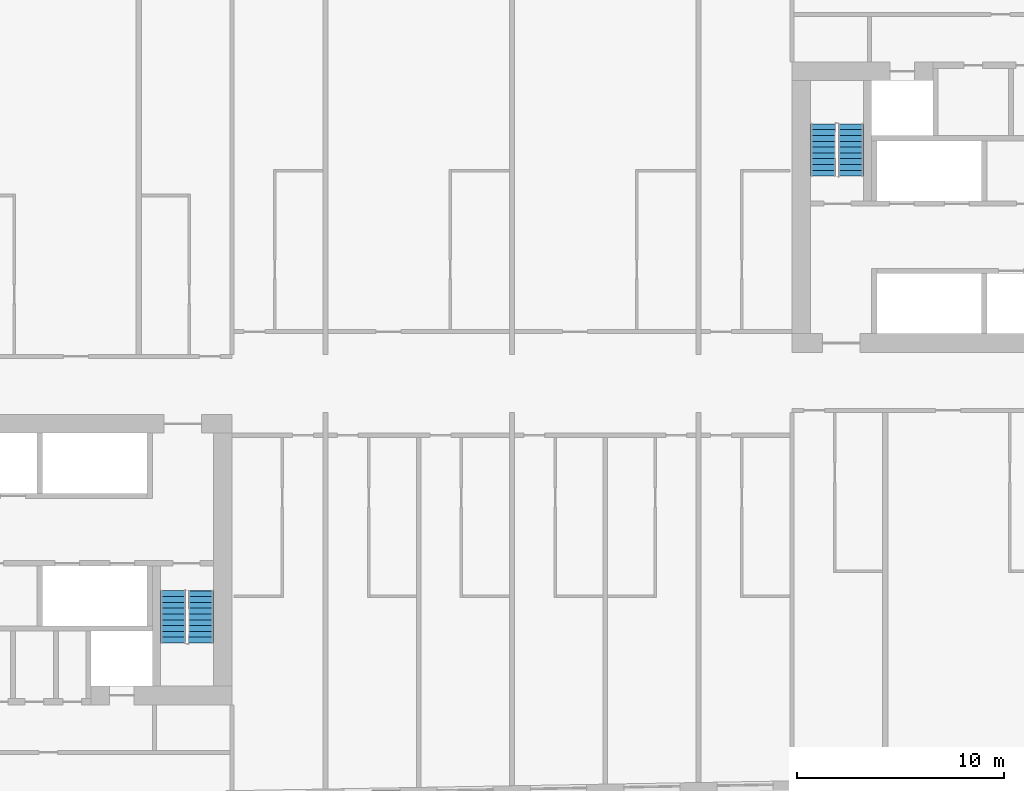
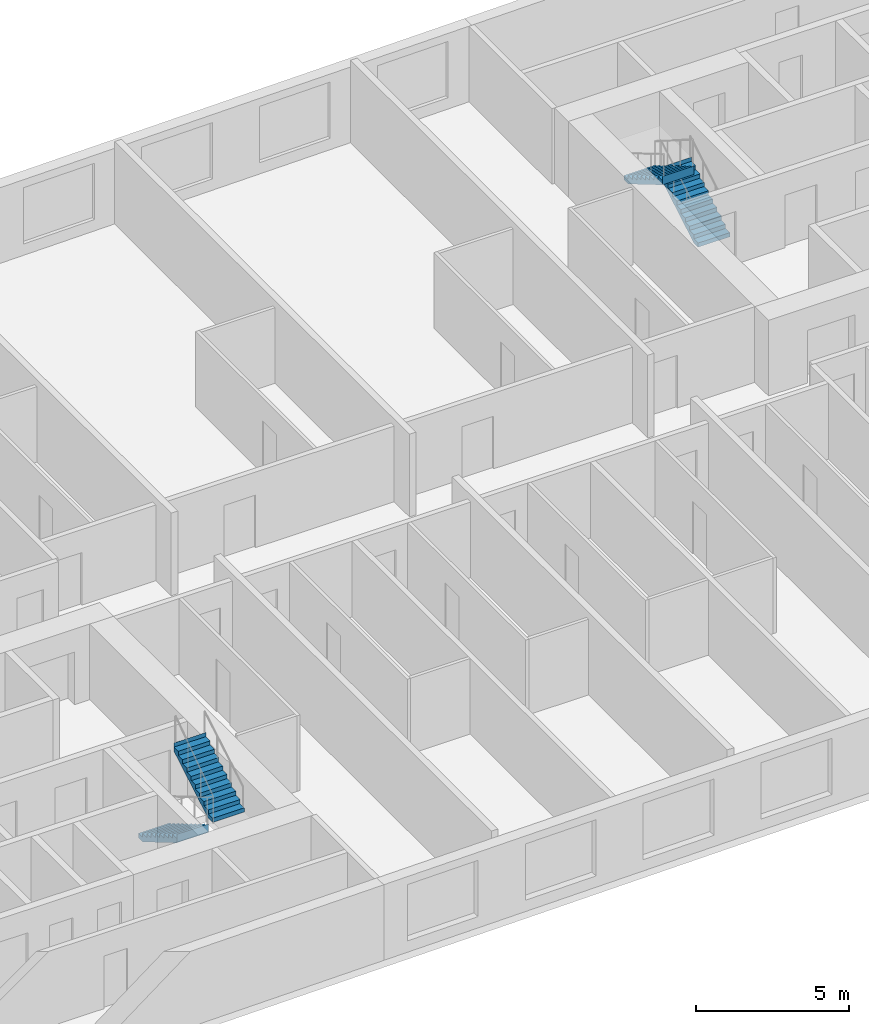
# One storey, part 9 of 11: 4 stair flights, 2 elements without a shape of their own.
"""IFC4 building model written with IfcOpenShell, lengths in metres."""

from ifc_helpers import new_model, si_unit, direction, frame, origin, place, context, subcontext, project, spatial, faceted_brep, material, type_object, element, aggregate, save


model = new_model("IFC4")

# Units and contexts
model_context = context("Model", 3, precision=1e-05, world=origin(), true_north=direction((0.0, 1.0)))
body_context = subcontext(model_context, "Body", "Model", "MODEL_VIEW")
ifc_project = project(units=[si_unit("LENGTHUNIT", "METRE"), si_unit("AREAUNIT", "SQUARE_METRE"), si_unit("VOLUMEUNIT", "CUBIC_METRE"), si_unit("PLANEANGLEUNIT", "RADIAN"), si_unit("MASSUNIT", "GRAM", prefix="KILO")], contexts=[model_context])

# Site, building, storey
site_placement = place(None, origin())
site = spatial("IfcSite", under=ifc_project, at=site_placement, CompositionType="ELEMENT")
building_placement = place(site_placement, origin())
building = spatial("IfcBuilding", under=site, at=building_placement, Name="Kajstack Hotel Tower", CompositionType="ELEMENT")
storey_placement = place(building_placement, frame((0.0, 0.0, 244.10009765625)))
storey = spatial("IfcBuildingStorey", under=building, at=storey_placement, Name="L60", CompositionType="ELEMENT", Elevation=244.10009765625)

# Stair, stair flights
ifc_material = material(Name="Concrete C40/50", Category="concrete")
stair_type = type_object("IfcStairType", Name="Exit stair 1200", PredefinedType="HALF_TURN_STAIR", material=ifc_material)
stair_1_placement = place(storey_placement, origin())
stair_1 = element("IfcStair", 1, at=stair_1_placement, inside=storey, type_object=stair_type, Name="L60 stair W2", PredefinedType="HALF_TURN_STAIR")
stair_flight_type = type_object("IfcStairFlightType", Name="Exit stair flight 1200", PredefinedType="STRAIGHT", material=ifc_material)
stair_flight_1_placement = place(storey_placement, frame((-16.35009765625, -10.0, 0.0), z_axis=(0.0, 0.0, 1.0), x_axis=(0.0, -1.0, 0.0)))
stair_flight_1 = element("IfcStairFlight", 2, at=stair_flight_1_placement, type_object=stair_flight_type, Name="W2 flight 1", NumberOfRisers=10, NumberOfTreads=9, PredefinedType="STRAIGHT", RiserHeight=0.165, TreadLength=0.28, context=body_context, shape_type="Brep", body=[
    faceted_brep([(0.295654296875, -0.60009765625, 0.0), (2.5205078125, -0.60009765625, 1.31103515625), (2.5205078125, -0.60009765625, 1.64990234375), (2.52001953125, -0.60009765625, 1.64990234375), (2.52001953125, -0.60009765625, 1.485107421875), (2.239990234375, -0.60009765625, 1.485107421875), (2.239990234375, -0.60009765625, 1.320068359375), (1.9599609375, -0.60009765625, 1.320068359375), (1.9599609375, -0.60009765625, 1.155029296875), (1.679931640625, -0.60009765625, 1.155029296875), (1.679931640625, -0.60009765625, 0.989990234375), (1.39990234375, -0.60009765625, 0.989990234375), (1.39990234375, -0.60009765625, 0.824951171875), (1.1201171875, -0.60009765625, 0.824951171875), (1.1201171875, -0.60009765625, 0.659912109375), (0.840087890625, -0.60009765625, 0.659912109375), (0.840087890625, -0.60009765625, 0.4951171875), (0.56005859375, -0.60009765625, 0.4951171875), (0.56005859375, -0.60009765625, 0.330078125), (0.280029296875, -0.60009765625, 0.330078125), (0.280029296875, -0.60009765625, 0.1650390625), (-0.00048828125, -0.60009765625, 0.1650390625), (-0.00048828125, -0.60009765625, 0.0), (-0.00048828125, 0.60009765625, 0.0), (-0.00048828125, 0.60009765625, 0.1650390625), (0.280029296875, 0.60009765625, 0.1650390625), (0.280029296875, 0.60009765625, 0.330078125), (0.56005859375, 0.60009765625, 0.330078125), (0.56005859375, 0.60009765625, 0.4951171875), (0.840087890625, 0.60009765625, 0.4951171875), (0.840087890625, 0.60009765625, 0.659912109375), (1.1201171875, 0.60009765625, 0.659912109375), (1.1201171875, 0.60009765625, 0.824951171875), (1.39990234375, 0.60009765625, 0.824951171875), (1.39990234375, 0.60009765625, 0.989990234375), (1.679931640625, 0.60009765625, 0.989990234375), (1.679931640625, 0.60009765625, 1.155029296875), (1.9599609375, 0.60009765625, 1.155029296875), (1.9599609375, 0.60009765625, 1.320068359375), (2.239990234375, 0.60009765625, 1.320068359375), (2.239990234375, 0.60009765625, 1.485107421875), (2.52001953125, 0.60009765625, 1.485107421875), (2.52001953125, 0.60009765625, 1.64990234375), (2.5205078125, 0.60009765625, 1.64990234375), (2.5205078125, 0.60009765625, 1.31103515625), (0.295654296875, 0.60009765625, 0.0), (-0.00048828125, -0.300048828125, 0.1650390625), (-0.00048828125, 0.0, 0.1650390625), (-0.00048828125, 0.300048828125, 0.1650390625), (-0.00048828125, 0.300048828125, 0.0), (-0.00048828125, 0.0, 0.0), (-0.00048828125, -0.300048828125, 0.0), (0.280029296875, -0.300048828125, 0.1650390625), (0.280029296875, 0.0, 0.1650390625), (0.280029296875, 0.300048828125, 0.1650390625), (0.280029296875, -0.300048828125, 0.330078125), (0.280029296875, 0.0, 0.330078125), (0.280029296875, 0.300048828125, 0.330078125), (0.56005859375, -0.300048828125, 0.330078125), (0.56005859375, 0.0, 0.330078125), (0.56005859375, 0.300048828125, 0.330078125), (0.56005859375, -0.300048828125, 0.4951171875), (0.56005859375, 0.0, 0.4951171875), (0.56005859375, 0.300048828125, 0.4951171875), (0.840087890625, -0.300048828125, 0.4951171875), (0.840087890625, 0.0, 0.4951171875), (0.840087890625, 0.300048828125, 0.4951171875), (0.840087890625, -0.300048828125, 0.659912109375), (0.840087890625, 0.0, 0.659912109375), (0.840087890625, 0.300048828125, 0.659912109375), (1.1201171875, -0.300048828125, 0.659912109375), (1.1201171875, 0.0, 0.659912109375), (1.1201171875, 0.300048828125, 0.659912109375), (1.1201171875, -0.300048828125, 0.824951171875), (1.1201171875, 0.0, 0.824951171875), (1.1201171875, 0.300048828125, 0.824951171875), (1.39990234375, -0.300048828125, 0.824951171875), (1.39990234375, 0.0, 0.824951171875), (1.39990234375, 0.300048828125, 0.824951171875), (1.39990234375, -0.300048828125, 0.989990234375), (1.39990234375, 0.0, 0.989990234375), (1.39990234375, 0.300048828125, 0.989990234375), (1.679931640625, -0.300048828125, 0.989990234375), (1.679931640625, 0.0, 0.989990234375), (1.679931640625, 0.300048828125, 0.989990234375), (1.679931640625, -0.300048828125, 1.155029296875), (1.679931640625, 0.0, 1.155029296875), (1.679931640625, 0.300048828125, 1.155029296875), (1.9599609375, -0.300048828125, 1.155029296875), (1.9599609375, 0.0, 1.155029296875), (1.9599609375, 0.300048828125, 1.155029296875), (1.9599609375, -0.300048828125, 1.320068359375), (1.9599609375, 0.0, 1.320068359375), (1.9599609375, 0.300048828125, 1.320068359375), (2.239990234375, -0.300048828125, 1.320068359375), (2.239990234375, 0.0, 1.320068359375), (2.239990234375, 0.300048828125, 1.320068359375), (2.239990234375, -0.300048828125, 1.485107421875), (2.239990234375, 0.0, 1.485107421875), (2.239990234375, 0.300048828125, 1.485107421875), (2.52001953125, -0.300048828125, 1.485107421875), (2.52001953125, 0.0, 1.485107421875), (2.52001953125, 0.300048828125, 1.485107421875), (2.52001953125, -0.300048828125, 1.64990234375), (2.52001953125, 0.0, 1.64990234375), (2.52001953125, 0.300048828125, 1.64990234375), (2.5205078125, -0.300048828125, 1.64990234375), (2.5205078125, 0.0, 1.64990234375), (2.5205078125, 0.300048828125, 1.64990234375), (2.5205078125, -0.300048828125, 1.31103515625), (2.5205078125, 0.0, 1.31103515625), (2.5205078125, 0.300048828125, 1.31103515625), (0.295654296875, -0.300048828125, 0.0), (0.295654296875, 0.0, 0.0), (0.295654296875, 0.300048828125, 0.0)], [[[0, 1, 2, 3, 4, 5, 6, 7, 8, 9, 10, 11, 12, 13, 14, 15, 16, 17, 18, 19, 20, 21, 22]], [[23, 24, 25, 26, 27, 28, 29, 30, 31, 32, 33, 34, 35, 36, 37, 38, 39, 40, 41, 42, 43, 44, 45]], [[21, 46, 47, 48, 24, 23, 49, 50, 51, 22]], [[20, 52, 53, 54, 25, 24, 48, 47, 46, 21]], [[19, 55, 56, 57, 26, 25, 54, 53, 52, 20]], [[18, 58, 59, 60, 27, 26, 57, 56, 55, 19]], [[17, 61, 62, 63, 28, 27, 60, 59, 58, 18]], [[16, 64, 65, 66, 29, 28, 63, 62, 61, 17]], [[15, 67, 68, 69, 30, 29, 66, 65, 64, 16]], [[14, 70, 71, 72, 31, 30, 69, 68, 67, 15]], [[13, 73, 74, 75, 32, 31, 72, 71, 70, 14]], [[12, 76, 77, 78, 33, 32, 75, 74, 73, 13]], [[11, 79, 80, 81, 34, 33, 78, 77, 76, 12]], [[10, 82, 83, 84, 35, 34, 81, 80, 79, 11]], [[9, 85, 86, 87, 36, 35, 84, 83, 82, 10]], [[8, 88, 89, 90, 37, 36, 87, 86, 85, 9]], [[7, 91, 92, 93, 38, 37, 90, 89, 88, 8]], [[6, 94, 95, 96, 39, 38, 93, 92, 91, 7]], [[5, 97, 98, 99, 40, 39, 96, 95, 94, 6]], [[4, 100, 101, 102, 41, 40, 99, 98, 97, 5]], [[3, 103, 104, 105, 42, 41, 102, 101, 100, 4]], [[2, 106, 107, 108, 43, 42, 105, 104, 103, 3]], [[1, 109, 110, 111, 44, 43, 108, 107, 106, 2]], [[0, 112, 113, 114, 45, 44, 111, 110, 109, 1]], [[22, 51, 50, 49, 23, 45, 114, 113, 112, 0]]]),
])
stair_flight_2_placement = place(storey_placement, frame((-15.0, -12.52001953125, 1.64990234375), z_axis=(0.0, 0.0, 1.0), x_axis=(0.0, 1.0, 0.0)))
stair_flight_2 = element("IfcStairFlight", 3, at=stair_flight_2_placement, type_object=stair_flight_type, Name="W2 flight 2", NumberOfRisers=10, NumberOfTreads=9, PredefinedType="STRAIGHT", RiserHeight=0.165, TreadLength=0.28, context=body_context, shape_type="Brep", body=[
    faceted_brep([(0.295654296875, -0.60009765625, 0.0), (2.5205078125, -0.60009765625, 1.31103515625), (2.5205078125, -0.60009765625, 1.64990234375), (2.52001953125, -0.60009765625, 1.64990234375), (2.52001953125, -0.60009765625, 1.485107421875), (2.239990234375, -0.60009765625, 1.485107421875), (2.239990234375, -0.60009765625, 1.320068359375), (1.9599609375, -0.60009765625, 1.320068359375), (1.9599609375, -0.60009765625, 1.155029296875), (1.679931640625, -0.60009765625, 1.155029296875), (1.679931640625, -0.60009765625, 0.989990234375), (1.39990234375, -0.60009765625, 0.989990234375), (1.39990234375, -0.60009765625, 0.824951171875), (1.1201171875, -0.60009765625, 0.824951171875), (1.1201171875, -0.60009765625, 0.659912109375), (0.840087890625, -0.60009765625, 0.659912109375), (0.840087890625, -0.60009765625, 0.4951171875), (0.56005859375, -0.60009765625, 0.4951171875), (0.56005859375, -0.60009765625, 0.330078125), (0.280029296875, -0.60009765625, 0.330078125), (0.280029296875, -0.60009765625, 0.1650390625), (-0.00048828125, -0.60009765625, 0.1650390625), (-0.00048828125, -0.60009765625, 0.0), (-0.00048828125, 0.60009765625, 0.0), (-0.00048828125, 0.60009765625, 0.1650390625), (0.280029296875, 0.60009765625, 0.1650390625), (0.280029296875, 0.60009765625, 0.330078125), (0.56005859375, 0.60009765625, 0.330078125), (0.56005859375, 0.60009765625, 0.4951171875), (0.840087890625, 0.60009765625, 0.4951171875), (0.840087890625, 0.60009765625, 0.659912109375), (1.1201171875, 0.60009765625, 0.659912109375), (1.1201171875, 0.60009765625, 0.824951171875), (1.39990234375, 0.60009765625, 0.824951171875), (1.39990234375, 0.60009765625, 0.989990234375), (1.679931640625, 0.60009765625, 0.989990234375), (1.679931640625, 0.60009765625, 1.155029296875), (1.9599609375, 0.60009765625, 1.155029296875), (1.9599609375, 0.60009765625, 1.320068359375), (2.239990234375, 0.60009765625, 1.320068359375), (2.239990234375, 0.60009765625, 1.485107421875), (2.52001953125, 0.60009765625, 1.485107421875), (2.52001953125, 0.60009765625, 1.64990234375), (2.5205078125, 0.60009765625, 1.64990234375), (2.5205078125, 0.60009765625, 1.31103515625), (0.295654296875, 0.60009765625, 0.0), (-0.00048828125, -0.300048828125, 0.1650390625), (-0.00048828125, 0.0, 0.1650390625), (-0.00048828125, 0.300048828125, 0.1650390625), (-0.00048828125, 0.300048828125, 0.0), (-0.00048828125, 0.0, 0.0), (-0.00048828125, -0.300048828125, 0.0), (0.280029296875, -0.300048828125, 0.1650390625), (0.280029296875, 0.0, 0.1650390625), (0.280029296875, 0.300048828125, 0.1650390625), (0.280029296875, -0.300048828125, 0.330078125), (0.280029296875, 0.0, 0.330078125), (0.280029296875, 0.300048828125, 0.330078125), (0.56005859375, -0.300048828125, 0.330078125), (0.56005859375, 0.0, 0.330078125), (0.56005859375, 0.300048828125, 0.330078125), (0.56005859375, -0.300048828125, 0.4951171875), (0.56005859375, 0.0, 0.4951171875), (0.56005859375, 0.300048828125, 0.4951171875), (0.840087890625, -0.300048828125, 0.4951171875), (0.840087890625, 0.0, 0.4951171875), (0.840087890625, 0.300048828125, 0.4951171875), (0.840087890625, -0.300048828125, 0.659912109375), (0.840087890625, 0.0, 0.659912109375), (0.840087890625, 0.300048828125, 0.659912109375), (1.1201171875, -0.300048828125, 0.659912109375), (1.1201171875, 0.0, 0.659912109375), (1.1201171875, 0.300048828125, 0.659912109375), (1.1201171875, -0.300048828125, 0.824951171875), (1.1201171875, 0.0, 0.824951171875), (1.1201171875, 0.300048828125, 0.824951171875), (1.39990234375, -0.300048828125, 0.824951171875), (1.39990234375, 0.0, 0.824951171875), (1.39990234375, 0.300048828125, 0.824951171875), (1.39990234375, -0.300048828125, 0.989990234375), (1.39990234375, 0.0, 0.989990234375), (1.39990234375, 0.300048828125, 0.989990234375), (1.679931640625, -0.300048828125, 0.989990234375), (1.679931640625, 0.0, 0.989990234375), (1.679931640625, 0.300048828125, 0.989990234375), (1.679931640625, -0.300048828125, 1.155029296875), (1.679931640625, 0.0, 1.155029296875), (1.679931640625, 0.300048828125, 1.155029296875), (1.9599609375, -0.300048828125, 1.155029296875), (1.9599609375, 0.0, 1.155029296875), (1.9599609375, 0.300048828125, 1.155029296875), (1.9599609375, -0.300048828125, 1.320068359375), (1.9599609375, 0.0, 1.320068359375), (1.9599609375, 0.300048828125, 1.320068359375), (2.239990234375, -0.300048828125, 1.320068359375), (2.239990234375, 0.0, 1.320068359375), (2.239990234375, 0.300048828125, 1.320068359375), (2.239990234375, -0.300048828125, 1.485107421875), (2.239990234375, 0.0, 1.485107421875), (2.239990234375, 0.300048828125, 1.485107421875), (2.52001953125, -0.300048828125, 1.485107421875), (2.52001953125, 0.0, 1.485107421875), (2.52001953125, 0.300048828125, 1.485107421875), (2.52001953125, -0.300048828125, 1.64990234375), (2.52001953125, 0.0, 1.64990234375), (2.52001953125, 0.300048828125, 1.64990234375), (2.5205078125, -0.300048828125, 1.64990234375), (2.5205078125, 0.0, 1.64990234375), (2.5205078125, 0.300048828125, 1.64990234375), (2.5205078125, -0.300048828125, 1.31103515625), (2.5205078125, 0.0, 1.31103515625), (2.5205078125, 0.300048828125, 1.31103515625), (0.295654296875, -0.300048828125, 0.0), (0.295654296875, 0.0, 0.0), (0.295654296875, 0.300048828125, 0.0)], [[[0, 1, 2, 3, 4, 5, 6, 7, 8, 9, 10, 11, 12, 13, 14, 15, 16, 17, 18, 19, 20, 21, 22]], [[23, 24, 25, 26, 27, 28, 29, 30, 31, 32, 33, 34, 35, 36, 37, 38, 39, 40, 41, 42, 43, 44, 45]], [[21, 46, 47, 48, 24, 23, 49, 50, 51, 22]], [[20, 52, 53, 54, 25, 24, 48, 47, 46, 21]], [[19, 55, 56, 57, 26, 25, 54, 53, 52, 20]], [[18, 58, 59, 60, 27, 26, 57, 56, 55, 19]], [[17, 61, 62, 63, 28, 27, 60, 59, 58, 18]], [[16, 64, 65, 66, 29, 28, 63, 62, 61, 17]], [[15, 67, 68, 69, 30, 29, 66, 65, 64, 16]], [[14, 70, 71, 72, 31, 30, 69, 68, 67, 15]], [[13, 73, 74, 75, 32, 31, 72, 71, 70, 14]], [[12, 76, 77, 78, 33, 32, 75, 74, 73, 13]], [[11, 79, 80, 81, 34, 33, 78, 77, 76, 12]], [[10, 82, 83, 84, 35, 34, 81, 80, 79, 11]], [[9, 85, 86, 87, 36, 35, 84, 83, 82, 10]], [[8, 88, 89, 90, 37, 36, 87, 86, 85, 9]], [[7, 91, 92, 93, 38, 37, 90, 89, 88, 8]], [[6, 94, 95, 96, 39, 38, 93, 92, 91, 7]], [[5, 97, 98, 99, 40, 39, 96, 95, 94, 6]], [[4, 100, 101, 102, 41, 40, 99, 98, 97, 5]], [[3, 103, 104, 105, 42, 41, 102, 101, 100, 4]], [[2, 106, 107, 108, 43, 42, 105, 104, 103, 3]], [[1, 109, 110, 111, 44, 43, 108, 107, 106, 2]], [[0, 112, 113, 114, 45, 44, 111, 110, 109, 1]], [[22, 51, 50, 49, 23, 45, 114, 113, 112, 0]]]),
])
aggregate(stair_1, [stair_flight_1, stair_flight_2])

stair_2_placement = place(storey_placement, origin())
stair_2 = element("IfcStair", 4, at=stair_2_placement, inside=storey, type_object=stair_type, Name="L60 stair E2", PredefinedType="HALF_TURN_STAIR")
stair_flight_3_placement = place(storey_placement, frame((16.35009765625, 10.0, 0.0), z_axis=(0.0, 0.0, 1.0), x_axis=(0.0, 1.0, 0.0)))
stair_flight_3 = element("IfcStairFlight", 5, at=stair_flight_3_placement, type_object=stair_flight_type, Name="E2 flight 1", NumberOfRisers=10, NumberOfTreads=9, PredefinedType="STRAIGHT", RiserHeight=0.165, TreadLength=0.28, context=body_context, shape_type="Brep", body=[
    faceted_brep([(0.295654296875, -0.60009765625, 0.0), (2.5205078125, -0.60009765625, 1.31103515625), (2.5205078125, -0.60009765625, 1.64990234375), (2.52001953125, -0.60009765625, 1.64990234375), (2.52001953125, -0.60009765625, 1.485107421875), (2.239990234375, -0.60009765625, 1.485107421875), (2.239990234375, -0.60009765625, 1.320068359375), (1.9599609375, -0.60009765625, 1.320068359375), (1.9599609375, -0.60009765625, 1.155029296875), (1.679931640625, -0.60009765625, 1.155029296875), (1.679931640625, -0.60009765625, 0.989990234375), (1.39990234375, -0.60009765625, 0.989990234375), (1.39990234375, -0.60009765625, 0.824951171875), (1.1201171875, -0.60009765625, 0.824951171875), (1.1201171875, -0.60009765625, 0.659912109375), (0.840087890625, -0.60009765625, 0.659912109375), (0.840087890625, -0.60009765625, 0.4951171875), (0.56005859375, -0.60009765625, 0.4951171875), (0.56005859375, -0.60009765625, 0.330078125), (0.280029296875, -0.60009765625, 0.330078125), (0.280029296875, -0.60009765625, 0.1650390625), (-0.00048828125, -0.60009765625, 0.1650390625), (-0.00048828125, -0.60009765625, 0.0), (-0.00048828125, 0.60009765625, 0.0), (-0.00048828125, 0.60009765625, 0.1650390625), (0.280029296875, 0.60009765625, 0.1650390625), (0.280029296875, 0.60009765625, 0.330078125), (0.56005859375, 0.60009765625, 0.330078125), (0.56005859375, 0.60009765625, 0.4951171875), (0.840087890625, 0.60009765625, 0.4951171875), (0.840087890625, 0.60009765625, 0.659912109375), (1.1201171875, 0.60009765625, 0.659912109375), (1.1201171875, 0.60009765625, 0.824951171875), (1.39990234375, 0.60009765625, 0.824951171875), (1.39990234375, 0.60009765625, 0.989990234375), (1.679931640625, 0.60009765625, 0.989990234375), (1.679931640625, 0.60009765625, 1.155029296875), (1.9599609375, 0.60009765625, 1.155029296875), (1.9599609375, 0.60009765625, 1.320068359375), (2.239990234375, 0.60009765625, 1.320068359375), (2.239990234375, 0.60009765625, 1.485107421875), (2.52001953125, 0.60009765625, 1.485107421875), (2.52001953125, 0.60009765625, 1.64990234375), (2.5205078125, 0.60009765625, 1.64990234375), (2.5205078125, 0.60009765625, 1.31103515625), (0.295654296875, 0.60009765625, 0.0), (-0.00048828125, -0.300048828125, 0.1650390625), (-0.00048828125, 0.0, 0.1650390625), (-0.00048828125, 0.300048828125, 0.1650390625), (-0.00048828125, 0.300048828125, 0.0), (-0.00048828125, 0.0, 0.0), (-0.00048828125, -0.300048828125, 0.0), (0.280029296875, -0.300048828125, 0.1650390625), (0.280029296875, 0.0, 0.1650390625), (0.280029296875, 0.300048828125, 0.1650390625), (0.280029296875, -0.300048828125, 0.330078125), (0.280029296875, 0.0, 0.330078125), (0.280029296875, 0.300048828125, 0.330078125), (0.56005859375, -0.300048828125, 0.330078125), (0.56005859375, 0.0, 0.330078125), (0.56005859375, 0.300048828125, 0.330078125), (0.56005859375, -0.300048828125, 0.4951171875), (0.56005859375, 0.0, 0.4951171875), (0.56005859375, 0.300048828125, 0.4951171875), (0.840087890625, -0.300048828125, 0.4951171875), (0.840087890625, 0.0, 0.4951171875), (0.840087890625, 0.300048828125, 0.4951171875), (0.840087890625, -0.300048828125, 0.659912109375), (0.840087890625, 0.0, 0.659912109375), (0.840087890625, 0.300048828125, 0.659912109375), (1.1201171875, -0.300048828125, 0.659912109375), (1.1201171875, 0.0, 0.659912109375), (1.1201171875, 0.300048828125, 0.659912109375), (1.1201171875, -0.300048828125, 0.824951171875), (1.1201171875, 0.0, 0.824951171875), (1.1201171875, 0.300048828125, 0.824951171875), (1.39990234375, -0.300048828125, 0.824951171875), (1.39990234375, 0.0, 0.824951171875), (1.39990234375, 0.300048828125, 0.824951171875), (1.39990234375, -0.300048828125, 0.989990234375), (1.39990234375, 0.0, 0.989990234375), (1.39990234375, 0.300048828125, 0.989990234375), (1.679931640625, -0.300048828125, 0.989990234375), (1.679931640625, 0.0, 0.989990234375), (1.679931640625, 0.300048828125, 0.989990234375), (1.679931640625, -0.300048828125, 1.155029296875), (1.679931640625, 0.0, 1.155029296875), (1.679931640625, 0.300048828125, 1.155029296875), (1.9599609375, -0.300048828125, 1.155029296875), (1.9599609375, 0.0, 1.155029296875), (1.9599609375, 0.300048828125, 1.155029296875), (1.9599609375, -0.300048828125, 1.320068359375), (1.9599609375, 0.0, 1.320068359375), (1.9599609375, 0.300048828125, 1.320068359375), (2.239990234375, -0.300048828125, 1.320068359375), (2.239990234375, 0.0, 1.320068359375), (2.239990234375, 0.300048828125, 1.320068359375), (2.239990234375, -0.300048828125, 1.485107421875), (2.239990234375, 0.0, 1.485107421875), (2.239990234375, 0.300048828125, 1.485107421875), (2.52001953125, -0.300048828125, 1.485107421875), (2.52001953125, 0.0, 1.485107421875), (2.52001953125, 0.300048828125, 1.485107421875), (2.52001953125, -0.300048828125, 1.64990234375), (2.52001953125, 0.0, 1.64990234375), (2.52001953125, 0.300048828125, 1.64990234375), (2.5205078125, -0.300048828125, 1.64990234375), (2.5205078125, 0.0, 1.64990234375), (2.5205078125, 0.300048828125, 1.64990234375), (2.5205078125, -0.300048828125, 1.31103515625), (2.5205078125, 0.0, 1.31103515625), (2.5205078125, 0.300048828125, 1.31103515625), (0.295654296875, -0.300048828125, 0.0), (0.295654296875, 0.0, 0.0), (0.295654296875, 0.300048828125, 0.0)], [[[0, 1, 2, 3, 4, 5, 6, 7, 8, 9, 10, 11, 12, 13, 14, 15, 16, 17, 18, 19, 20, 21, 22]], [[23, 24, 25, 26, 27, 28, 29, 30, 31, 32, 33, 34, 35, 36, 37, 38, 39, 40, 41, 42, 43, 44, 45]], [[21, 46, 47, 48, 24, 23, 49, 50, 51, 22]], [[20, 52, 53, 54, 25, 24, 48, 47, 46, 21]], [[19, 55, 56, 57, 26, 25, 54, 53, 52, 20]], [[18, 58, 59, 60, 27, 26, 57, 56, 55, 19]], [[17, 61, 62, 63, 28, 27, 60, 59, 58, 18]], [[16, 64, 65, 66, 29, 28, 63, 62, 61, 17]], [[15, 67, 68, 69, 30, 29, 66, 65, 64, 16]], [[14, 70, 71, 72, 31, 30, 69, 68, 67, 15]], [[13, 73, 74, 75, 32, 31, 72, 71, 70, 14]], [[12, 76, 77, 78, 33, 32, 75, 74, 73, 13]], [[11, 79, 80, 81, 34, 33, 78, 77, 76, 12]], [[10, 82, 83, 84, 35, 34, 81, 80, 79, 11]], [[9, 85, 86, 87, 36, 35, 84, 83, 82, 10]], [[8, 88, 89, 90, 37, 36, 87, 86, 85, 9]], [[7, 91, 92, 93, 38, 37, 90, 89, 88, 8]], [[6, 94, 95, 96, 39, 38, 93, 92, 91, 7]], [[5, 97, 98, 99, 40, 39, 96, 95, 94, 6]], [[4, 100, 101, 102, 41, 40, 99, 98, 97, 5]], [[3, 103, 104, 105, 42, 41, 102, 101, 100, 4]], [[2, 106, 107, 108, 43, 42, 105, 104, 103, 3]], [[1, 109, 110, 111, 44, 43, 108, 107, 106, 2]], [[0, 112, 113, 114, 45, 44, 111, 110, 109, 1]], [[22, 51, 50, 49, 23, 45, 114, 113, 112, 0]]]),
])
stair_flight_4_placement = place(storey_placement, frame((15.0, 12.52001953125, 1.64990234375), z_axis=(0.0, 0.0, 1.0), x_axis=(0.0, -1.0, 0.0)))
stair_flight_4 = element("IfcStairFlight", 6, at=stair_flight_4_placement, type_object=stair_flight_type, Name="E2 flight 2", NumberOfRisers=10, NumberOfTreads=9, PredefinedType="STRAIGHT", RiserHeight=0.165, TreadLength=0.28, context=body_context, shape_type="Brep", body=[
    faceted_brep([(0.295654296875, -0.60009765625, 0.0), (2.5205078125, -0.60009765625, 1.31103515625), (2.5205078125, -0.60009765625, 1.64990234375), (2.52001953125, -0.60009765625, 1.64990234375), (2.52001953125, -0.60009765625, 1.485107421875), (2.239990234375, -0.60009765625, 1.485107421875), (2.239990234375, -0.60009765625, 1.320068359375), (1.9599609375, -0.60009765625, 1.320068359375), (1.9599609375, -0.60009765625, 1.155029296875), (1.679931640625, -0.60009765625, 1.155029296875), (1.679931640625, -0.60009765625, 0.989990234375), (1.39990234375, -0.60009765625, 0.989990234375), (1.39990234375, -0.60009765625, 0.824951171875), (1.1201171875, -0.60009765625, 0.824951171875), (1.1201171875, -0.60009765625, 0.659912109375), (0.840087890625, -0.60009765625, 0.659912109375), (0.840087890625, -0.60009765625, 0.4951171875), (0.56005859375, -0.60009765625, 0.4951171875), (0.56005859375, -0.60009765625, 0.330078125), (0.280029296875, -0.60009765625, 0.330078125), (0.280029296875, -0.60009765625, 0.1650390625), (-0.00048828125, -0.60009765625, 0.1650390625), (-0.00048828125, -0.60009765625, 0.0), (-0.00048828125, 0.60009765625, 0.0), (-0.00048828125, 0.60009765625, 0.1650390625), (0.280029296875, 0.60009765625, 0.1650390625), (0.280029296875, 0.60009765625, 0.330078125), (0.56005859375, 0.60009765625, 0.330078125), (0.56005859375, 0.60009765625, 0.4951171875), (0.840087890625, 0.60009765625, 0.4951171875), (0.840087890625, 0.60009765625, 0.659912109375), (1.1201171875, 0.60009765625, 0.659912109375), (1.1201171875, 0.60009765625, 0.824951171875), (1.39990234375, 0.60009765625, 0.824951171875), (1.39990234375, 0.60009765625, 0.989990234375), (1.679931640625, 0.60009765625, 0.989990234375), (1.679931640625, 0.60009765625, 1.155029296875), (1.9599609375, 0.60009765625, 1.155029296875), (1.9599609375, 0.60009765625, 1.320068359375), (2.239990234375, 0.60009765625, 1.320068359375), (2.239990234375, 0.60009765625, 1.485107421875), (2.52001953125, 0.60009765625, 1.485107421875), (2.52001953125, 0.60009765625, 1.64990234375), (2.5205078125, 0.60009765625, 1.64990234375), (2.5205078125, 0.60009765625, 1.31103515625), (0.295654296875, 0.60009765625, 0.0), (-0.00048828125, -0.300048828125, 0.1650390625), (-0.00048828125, 0.0, 0.1650390625), (-0.00048828125, 0.300048828125, 0.1650390625), (-0.00048828125, 0.300048828125, 0.0), (-0.00048828125, 0.0, 0.0), (-0.00048828125, -0.300048828125, 0.0), (0.280029296875, -0.300048828125, 0.1650390625), (0.280029296875, 0.0, 0.1650390625), (0.280029296875, 0.300048828125, 0.1650390625), (0.280029296875, -0.300048828125, 0.330078125), (0.280029296875, 0.0, 0.330078125), (0.280029296875, 0.300048828125, 0.330078125), (0.56005859375, -0.300048828125, 0.330078125), (0.56005859375, 0.0, 0.330078125), (0.56005859375, 0.300048828125, 0.330078125), (0.56005859375, -0.300048828125, 0.4951171875), (0.56005859375, 0.0, 0.4951171875), (0.56005859375, 0.300048828125, 0.4951171875), (0.840087890625, -0.300048828125, 0.4951171875), (0.840087890625, 0.0, 0.4951171875), (0.840087890625, 0.300048828125, 0.4951171875), (0.840087890625, -0.300048828125, 0.659912109375), (0.840087890625, 0.0, 0.659912109375), (0.840087890625, 0.300048828125, 0.659912109375), (1.1201171875, -0.300048828125, 0.659912109375), (1.1201171875, 0.0, 0.659912109375), (1.1201171875, 0.300048828125, 0.659912109375), (1.1201171875, -0.300048828125, 0.824951171875), (1.1201171875, 0.0, 0.824951171875), (1.1201171875, 0.300048828125, 0.824951171875), (1.39990234375, -0.300048828125, 0.824951171875), (1.39990234375, 0.0, 0.824951171875), (1.39990234375, 0.300048828125, 0.824951171875), (1.39990234375, -0.300048828125, 0.989990234375), (1.39990234375, 0.0, 0.989990234375), (1.39990234375, 0.300048828125, 0.989990234375), (1.679931640625, -0.300048828125, 0.989990234375), (1.679931640625, 0.0, 0.989990234375), (1.679931640625, 0.300048828125, 0.989990234375), (1.679931640625, -0.300048828125, 1.155029296875), (1.679931640625, 0.0, 1.155029296875), (1.679931640625, 0.300048828125, 1.155029296875), (1.9599609375, -0.300048828125, 1.155029296875), (1.9599609375, 0.0, 1.155029296875), (1.9599609375, 0.300048828125, 1.155029296875), (1.9599609375, -0.300048828125, 1.320068359375), (1.9599609375, 0.0, 1.320068359375), (1.9599609375, 0.300048828125, 1.320068359375), (2.239990234375, -0.300048828125, 1.320068359375), (2.239990234375, 0.0, 1.320068359375), (2.239990234375, 0.300048828125, 1.320068359375), (2.239990234375, -0.300048828125, 1.485107421875), (2.239990234375, 0.0, 1.485107421875), (2.239990234375, 0.300048828125, 1.485107421875), (2.52001953125, -0.300048828125, 1.485107421875), (2.52001953125, 0.0, 1.485107421875), (2.52001953125, 0.300048828125, 1.485107421875), (2.52001953125, -0.300048828125, 1.64990234375), (2.52001953125, 0.0, 1.64990234375), (2.52001953125, 0.300048828125, 1.64990234375), (2.5205078125, -0.300048828125, 1.64990234375), (2.5205078125, 0.0, 1.64990234375), (2.5205078125, 0.300048828125, 1.64990234375), (2.5205078125, -0.300048828125, 1.31103515625), (2.5205078125, 0.0, 1.31103515625), (2.5205078125, 0.300048828125, 1.31103515625), (0.295654296875, -0.300048828125, 0.0), (0.295654296875, 0.0, 0.0), (0.295654296875, 0.300048828125, 0.0)], [[[0, 1, 2, 3, 4, 5, 6, 7, 8, 9, 10, 11, 12, 13, 14, 15, 16, 17, 18, 19, 20, 21, 22]], [[23, 24, 25, 26, 27, 28, 29, 30, 31, 32, 33, 34, 35, 36, 37, 38, 39, 40, 41, 42, 43, 44, 45]], [[21, 46, 47, 48, 24, 23, 49, 50, 51, 22]], [[20, 52, 53, 54, 25, 24, 48, 47, 46, 21]], [[19, 55, 56, 57, 26, 25, 54, 53, 52, 20]], [[18, 58, 59, 60, 27, 26, 57, 56, 55, 19]], [[17, 61, 62, 63, 28, 27, 60, 59, 58, 18]], [[16, 64, 65, 66, 29, 28, 63, 62, 61, 17]], [[15, 67, 68, 69, 30, 29, 66, 65, 64, 16]], [[14, 70, 71, 72, 31, 30, 69, 68, 67, 15]], [[13, 73, 74, 75, 32, 31, 72, 71, 70, 14]], [[12, 76, 77, 78, 33, 32, 75, 74, 73, 13]], [[11, 79, 80, 81, 34, 33, 78, 77, 76, 12]], [[10, 82, 83, 84, 35, 34, 81, 80, 79, 11]], [[9, 85, 86, 87, 36, 35, 84, 83, 82, 10]], [[8, 88, 89, 90, 37, 36, 87, 86, 85, 9]], [[7, 91, 92, 93, 38, 37, 90, 89, 88, 8]], [[6, 94, 95, 96, 39, 38, 93, 92, 91, 7]], [[5, 97, 98, 99, 40, 39, 96, 95, 94, 6]], [[4, 100, 101, 102, 41, 40, 99, 98, 97, 5]], [[3, 103, 104, 105, 42, 41, 102, 101, 100, 4]], [[2, 106, 107, 108, 43, 42, 105, 104, 103, 3]], [[1, 109, 110, 111, 44, 43, 108, 107, 106, 2]], [[0, 112, 113, 114, 45, 44, 111, 110, 109, 1]], [[22, 51, 50, 49, 23, 45, 114, 113, 112, 0]]]),
])
aggregate(stair_2, [stair_flight_3, stair_flight_4])

save(model, "model.ifc")
